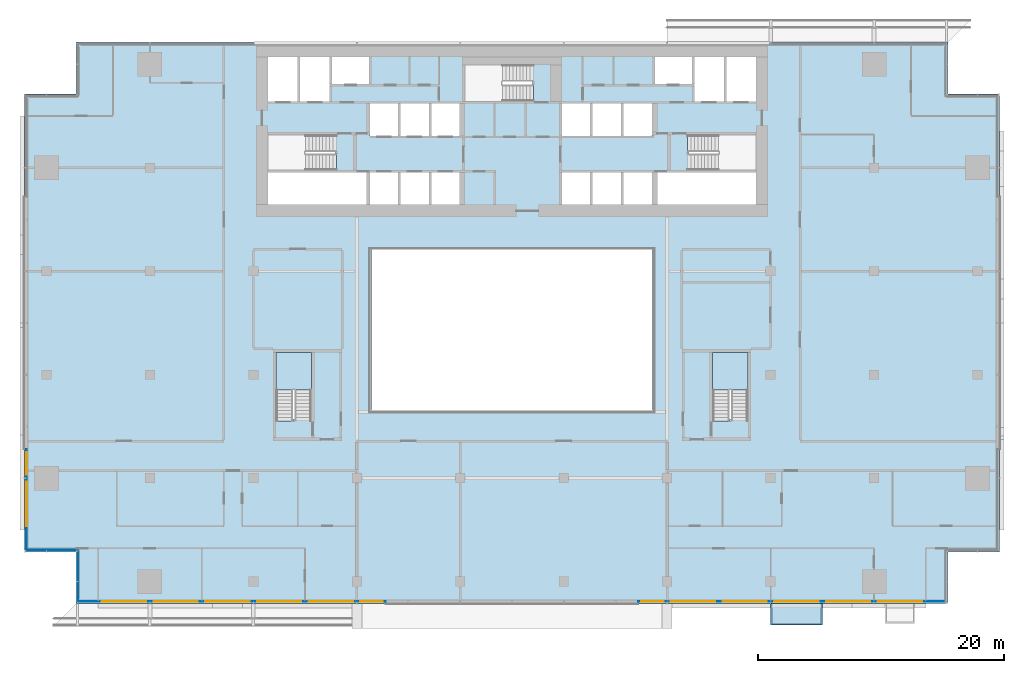
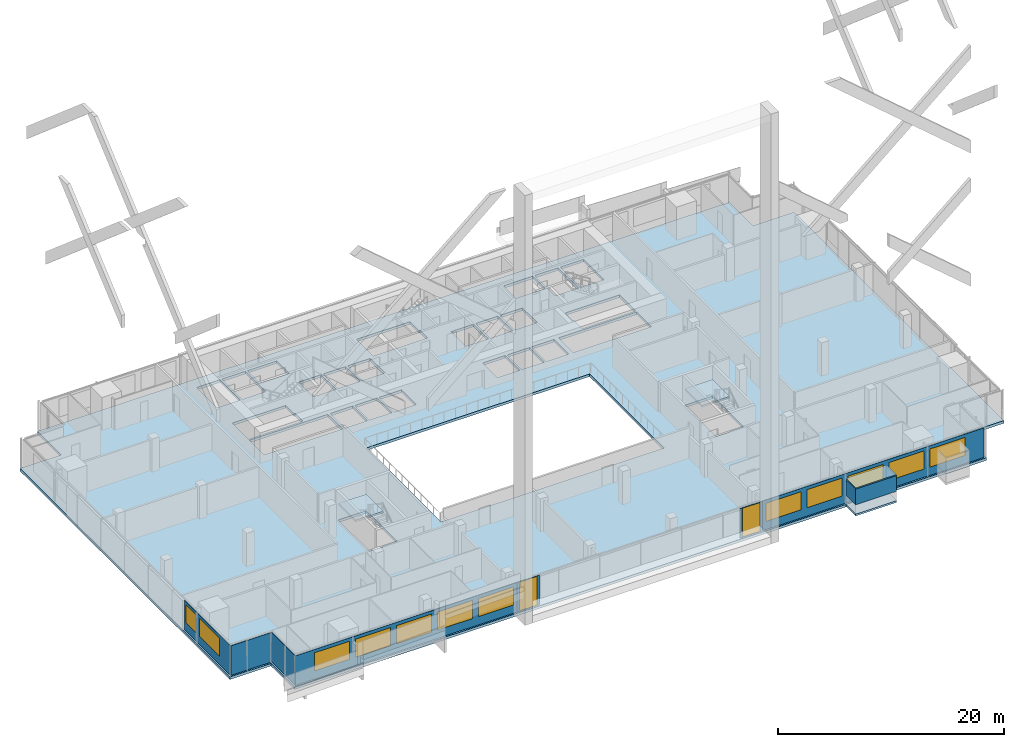
# One storey, part 17 of 30: 14 windows, 10 plates, 4 slabs, 14 openings, 6 elements without a shape of their own.
"""IFC4 building model written with IfcOpenShell, lengths in metres."""

from ifc_helpers import new_model, si_unit, direction, frame, frame_2d, origin, place, context, subcontext, project, spatial, polyline, rectangle, outline, extrude, material, layer, layer_set, type_object, element, fill, aggregate, save


model = new_model("IFC4")

# Units and contexts
model_context = context("Model", 3, precision=1e-05, world=origin(), true_north=direction((0.0, 1.0)))
body_context = subcontext(model_context, "Body", "Model", "MODEL_VIEW")
ifc_project = project(units=[si_unit("LENGTHUNIT", "METRE"), si_unit("AREAUNIT", "SQUARE_METRE"), si_unit("VOLUMEUNIT", "CUBIC_METRE"), si_unit("PLANEANGLEUNIT", "RADIAN"), si_unit("MASSUNIT", "GRAM", prefix="KILO")], contexts=[model_context])

# Site, building, storey
site_placement = place(None, origin())
site = spatial("IfcSite", under=ifc_project, at=site_placement, CompositionType="ELEMENT")
building_placement = place(site_placement, origin())
building = spatial("IfcBuilding", under=site, at=building_placement, Name="Saffron Gate Tower", CompositionType="ELEMENT")
storey_placement = place(building_placement, frame((0.0, 0.0, 95.25)))
storey = spatial("IfcBuildingStorey", under=building, at=storey_placement, Name="L21", CompositionType="ELEMENT", Elevation=95.25)

# Curtain wall, plates, openings, windows
ifc_material_1 = material(Name="Aluminium, bronze anodised", Category="aluminium")
curtain_wall_type_1 = type_object("IfcCurtainWallType", Name="CWS1 curtain wall front facade", PredefinedType="NOTDEFINED", material=ifc_material_1)
curtain_wall_1_placement = place(storey_placement, origin())
curtain_wall_1 = element("IfcCurtainWall", 1, at=curtain_wall_1_placement, inside=storey, type_object=curtain_wall_type_1, Name="CWS1 run 1", PredefinedType="NOTDEFINED")
ifc_material_2 = material(Name="Clear low-iron laminated glass", Category="glass")
ifc_layer_1 = layer(ifc_material_2, 0.028076171875)
ifc_layer_set_1 = layer_set([ifc_layer_1], Name="CWS1 clear glass")
plate_type_1 = type_object("IfcPlateType", Name="CWS1 clear glass", PredefinedType="CURTAIN_PANEL", material=ifc_layer_set_1)
plate_1_placement = place(storey_placement, frame((75.030029296875, 30.174072265625, 0.0), z_axis=(0.0, 0.0, 1.0), x_axis=(1.0, 0.0, 0.0)))
plate_1 = element("IfcPlate", 2, at=plate_1_placement, type_object=plate_type_1, Name="CWS1 clear glass panel", PredefinedType="CURTAIN_PANEL", context=body_context, shape_type="SweptSolid", body=[
    extrude(rectangle(XDim=2.32080078125, YDim=0.028076171875, at=frame_2d((1.160400390625, 0.0))), origin(), (0.0, 0.0, 1.0), 3.199951171875),
])
opening_1_placement = place(plate_1_placement, frame((0.260498046875, 0.0, 0.050048828125)))
opening_1 = element("IfcOpeningElement", 3, at=opening_1_placement, cuts=plate_1, Name="Opening WAN18", PredefinedType="OPENING", context=body_context, shape_type="SweptSolid", body=[
    extrude(rectangle(XDim=1.800048828125, YDim=3.10009765625, at=frame_2d((0.89990234375, 1.550048828125))), frame((0.0, 0.02392578125, 0.0), z_axis=(0.0, -1.0, 0.0), x_axis=(1.0, 0.0, 0.0)), (0.0, 0.0, 1.0), 0.048095703125),
])
ifc_material_3 = material(Name="Clear low-iron laminated glass in bronze frame", Category="glass")
ifc_layer_2 = layer(ifc_material_3, 0.06005859375)
ifc_layer_set_2 = layer_set([ifc_layer_2], Name="WAN18 operable atrium unit 1800x3100")
window_type_1 = type_object("IfcWindowType", Name="WAN18 operable atrium unit 1800x3100", PartitioningType="DOUBLE_PANEL_HORIZONTAL", PredefinedType="WINDOW", material=ifc_layer_set_2)
window_1_placement = place(opening_1_placement, origin())
window_1 = element("IfcWindow", 4, at=window_1_placement, type_object=window_type_1, Name="WAN18 operable atrium unit", OverallHeight=3.10009765625, OverallWidth=1.800048828125, PartitioningType="SINGLE_PANEL", PredefinedType="WINDOW", context=body_context, shape_type="SweptSolid", body=[
    extrude(rectangle(XDim=1.800048828125, YDim=3.10009765625, at=frame_2d((0.89990234375, 1.550048828125))), frame((0.0, 0.013671875, 0.0), z_axis=(0.0, -1.0, 0.0), x_axis=(1.0, 0.0, 0.0)), (0.0, 0.0, 1.0), 0.027587890625),
])
fill(opening_1, window_1)
plate_2_placement = place(storey_placement, frame((97.84912109375, 30.174072265625, 0.0), z_axis=(0.0, 0.0, 1.0), x_axis=(1.0, 0.0, 0.0)))
plate_2 = element("IfcPlate", 5, at=plate_2_placement, type_object=plate_type_1, Name="CWS1 clear glass panel", PredefinedType="CURTAIN_PANEL", context=body_context, shape_type="SweptSolid", body=[
    extrude(rectangle(XDim=2.32080078125, YDim=0.028076171875, at=frame_2d((1.160400390625, 0.0))), origin(), (0.0, 0.0, 1.0), 3.199951171875),
])
opening_2_placement = place(plate_2_placement, frame((0.260498046875, 0.0, 0.050048828125)))
opening_2 = element("IfcOpeningElement", 6, at=opening_2_placement, cuts=plate_2, Name="Opening WAN18", PredefinedType="OPENING", context=body_context, shape_type="SweptSolid", body=[
    extrude(rectangle(XDim=1.800048828125, YDim=3.10009765625, at=frame_2d((0.89990234375, 1.550048828125))), frame((0.0, 0.02392578125, 0.0), z_axis=(0.0, -1.0, 0.0), x_axis=(1.0, 0.0, 0.0)), (0.0, 0.0, 1.0), 0.048095703125),
])
window_2_placement = place(opening_2_placement, origin())
window_2 = element("IfcWindow", 7, at=window_2_placement, type_object=window_type_1, Name="WAN18 operable atrium unit", OverallHeight=3.10009765625, OverallWidth=1.800048828125, PartitioningType="SINGLE_PANEL", PredefinedType="WINDOW", context=body_context, shape_type="SweptSolid", body=[
    extrude(rectangle(XDim=1.800048828125, YDim=3.10009765625, at=frame_2d((0.89990234375, 1.550048828125))), frame((0.0, 0.013671875, 0.0), z_axis=(0.0, -1.0, 0.0), x_axis=(1.0, 0.0, 0.0)), (0.0, 0.0, 1.0), 0.027587890625),
])
fill(opening_2, window_2)
ifc_material_4 = material(Name="Fritted bronze-tinted laminated glass", Category="glass")
ifc_layer_3 = layer(ifc_material_4, 0.028076171875)
ifc_layer_set_3 = layer_set([ifc_layer_3], Name="CWS1 fixed glass")
plate_type_2 = type_object("IfcPlateType", Name="CWS1 fixed glass", PredefinedType="CURTAIN_PANEL", material=ifc_layer_set_3)
plate_3_placement = place(storey_placement, frame((52.387939453125, 30.174072265625, 0.0), z_axis=(0.0, 0.0, 1.0), x_axis=(1.0, 0.0, 0.0)))
plate_3 = element("IfcPlate", 8, at=plate_3_placement, type_object=plate_type_2, Name="CWS1 glass panel", PredefinedType="CURTAIN_PANEL", context=body_context, shape_type="SweptSolid", body=[
    extrude(rectangle(XDim=22.64208984375, YDim=0.028076171875, at=frame_2d((11.321044921875, 0.0))), origin(), (0.0, 0.0, 1.0), 3.199951171875),
])
opening_3_placement = place(plate_3_placement, frame((1.912109375, 0.0, 0.89990234375)))
opening_3 = element("IfcOpeningElement", 9, at=opening_3_placement, cuts=plate_3, Name="Opening W1", PredefinedType="OPENING", context=body_context, shape_type="SweptSolid", body=[
    extrude(rectangle(XDim=3.60009765625, YDim=1.949951171875, at=frame_2d((1.800048828125, 0.97509765625))), frame((0.0, 0.02392578125, 0.0), z_axis=(0.0, -1.0, 0.0), x_axis=(1.0, 0.0, 0.0)), (0.0, 0.0, 1.0), 0.048095703125),
])
opening_4_placement = place(plate_3_placement, frame((6.112060546875, 0.0, 0.89990234375)))
opening_4 = element("IfcOpeningElement", 10, at=opening_4_placement, cuts=plate_3, Name="Opening W1", PredefinedType="OPENING", context=body_context, shape_type="SweptSolid", body=[
    extrude(rectangle(XDim=3.60009765625, YDim=1.949951171875, at=frame_2d((1.800048828125, 0.97509765625))), frame((0.0, 0.02392578125, 0.0), z_axis=(0.0, -1.0, 0.0), x_axis=(1.0, 0.0, 0.0)), (0.0, 0.0, 1.0), 0.048095703125),
])
opening_5_placement = place(plate_3_placement, frame((10.31201171875, 0.0, 0.89990234375)))
opening_5 = element("IfcOpeningElement", 11, at=opening_5_placement, cuts=plate_3, Name="Opening W1", PredefinedType="OPENING", context=body_context, shape_type="SweptSolid", body=[
    extrude(rectangle(XDim=3.60009765625, YDim=1.949951171875, at=frame_2d((1.800048828125, 0.97509765625))), frame((0.0, 0.02392578125, 0.0), z_axis=(0.0, -1.0, 0.0), x_axis=(1.0, 0.0, 0.0)), (0.0, 0.0, 1.0), 0.048095703125),
])
opening_6_placement = place(plate_3_placement, frame((14.511962890625, 0.0, 0.89990234375)))
opening_6 = element("IfcOpeningElement", 12, at=opening_6_placement, cuts=plate_3, Name="Opening W1", PredefinedType="OPENING", context=body_context, shape_type="SweptSolid", body=[
    extrude(rectangle(XDim=3.60009765625, YDim=1.949951171875, at=frame_2d((1.800048828125, 0.97509765625))), frame((0.0, 0.02392578125, 0.0), z_axis=(0.0, -1.0, 0.0), x_axis=(1.0, 0.0, 0.0)), (0.0, 0.0, 1.0), 0.048095703125),
])
opening_7_placement = place(plate_3_placement, frame((18.7119140625, 0.0, 0.89990234375)))
opening_7 = element("IfcOpeningElement", 13, at=opening_7_placement, cuts=plate_3, Name="Opening W1", PredefinedType="OPENING", context=body_context, shape_type="SweptSolid", body=[
    extrude(rectangle(XDim=3.60009765625, YDim=1.949951171875, at=frame_2d((1.800048828125, 0.97509765625))), frame((0.0, 0.02392578125, 0.0), z_axis=(0.0, -1.0, 0.0), x_axis=(1.0, 0.0, 0.0)), (0.0, 0.0, 1.0), 0.048095703125),
])
ifc_material_5 = material(Name="Fritted bronze-tinted laminated glass in bronze frame", Category="glass")
ifc_layer_4 = layer(ifc_material_5, 0.06005859375)
ifc_layer_set_4 = layer_set([ifc_layer_4], Name="W1 operable panel 3600x1950")
window_type_2 = type_object("IfcWindowType", Name="W1 operable panel 3600x1950", PartitioningType="DOUBLE_PANEL_HORIZONTAL", PredefinedType="WINDOW", material=ifc_layer_set_4)
window_3_placement = place(opening_3_placement, origin())
window_3 = element("IfcWindow", 14, at=window_3_placement, type_object=window_type_2, Name="W1 operable panel", OverallHeight=1.949951171875, OverallWidth=3.60009765625, PartitioningType="SINGLE_PANEL", PredefinedType="WINDOW", context=body_context, shape_type="SweptSolid", body=[
    extrude(rectangle(XDim=3.60009765625, YDim=1.949951171875, at=frame_2d((1.800048828125, 0.97509765625))), frame((0.0, 0.013671875, 0.0), z_axis=(0.0, -1.0, 0.0), x_axis=(1.0, 0.0, 0.0)), (0.0, 0.0, 1.0), 0.027587890625),
])
fill(opening_3, window_3)
window_4_placement = place(opening_4_placement, origin())
window_4 = element("IfcWindow", 15, at=window_4_placement, type_object=window_type_2, Name="W1 operable panel", OverallHeight=1.949951171875, OverallWidth=3.60009765625, PartitioningType="SINGLE_PANEL", PredefinedType="WINDOW", context=body_context, shape_type="SweptSolid", body=[
    extrude(rectangle(XDim=3.60009765625, YDim=1.949951171875, at=frame_2d((1.800048828125, 0.97509765625))), frame((0.0, 0.013671875, 0.0), z_axis=(0.0, -1.0, 0.0), x_axis=(1.0, 0.0, 0.0)), (0.0, 0.0, 1.0), 0.027587890625),
])
fill(opening_4, window_4)
window_5_placement = place(opening_5_placement, origin())
window_5 = element("IfcWindow", 16, at=window_5_placement, type_object=window_type_2, Name="W1 operable panel", OverallHeight=1.949951171875, OverallWidth=3.60009765625, PartitioningType="SINGLE_PANEL", PredefinedType="WINDOW", context=body_context, shape_type="SweptSolid", body=[
    extrude(rectangle(XDim=3.60009765625, YDim=1.949951171875, at=frame_2d((1.800048828125, 0.97509765625))), frame((0.0, 0.013671875, 0.0), z_axis=(0.0, -1.0, 0.0), x_axis=(1.0, 0.0, 0.0)), (0.0, 0.0, 1.0), 0.027587890625),
])
fill(opening_5, window_5)
window_6_placement = place(opening_6_placement, origin())
window_6 = element("IfcWindow", 17, at=window_6_placement, type_object=window_type_2, Name="W1 operable panel", OverallHeight=1.949951171875, OverallWidth=3.60009765625, PartitioningType="SINGLE_PANEL", PredefinedType="WINDOW", context=body_context, shape_type="SweptSolid", body=[
    extrude(rectangle(XDim=3.60009765625, YDim=1.949951171875, at=frame_2d((1.800048828125, 0.97509765625))), frame((0.0, 0.013671875, 0.0), z_axis=(0.0, -1.0, 0.0), x_axis=(1.0, 0.0, 0.0)), (0.0, 0.0, 1.0), 0.027587890625),
])
fill(opening_6, window_6)
window_7_placement = place(opening_7_placement, origin())
window_7 = element("IfcWindow", 18, at=window_7_placement, type_object=window_type_2, Name="W1 operable panel", OverallHeight=1.949951171875, OverallWidth=3.60009765625, PartitioningType="SINGLE_PANEL", PredefinedType="WINDOW", context=body_context, shape_type="SweptSolid", body=[
    extrude(rectangle(XDim=3.60009765625, YDim=1.949951171875, at=frame_2d((1.800048828125, 0.97509765625))), frame((0.0, 0.013671875, 0.0), z_axis=(0.0, -1.0, 0.0), x_axis=(1.0, 0.0, 0.0)), (0.0, 0.0, 1.0), 0.027587890625),
])
fill(opening_7, window_7)
plate_4_placement = place(storey_placement, frame((100.169921875, 30.174072265625, 0.0), z_axis=(0.0, 0.0, 1.0), x_axis=(1.0, 0.0, 0.0)))
plate_4 = element("IfcPlate", 19, at=plate_4_placement, type_object=plate_type_2, Name="CWS1 glass panel", PredefinedType="CURTAIN_PANEL", context=body_context, shape_type="SweptSolid", body=[
    extrude(rectangle(XDim=22.64208984375, YDim=0.028076171875, at=frame_2d((11.321044921875, 0.0))), origin(), (0.0, 0.0, 1.0), 3.199951171875),
])
opening_8_placement = place(plate_4_placement, frame((0.330078125, 0.0, 0.89990234375)))
opening_8 = element("IfcOpeningElement", 20, at=opening_8_placement, cuts=plate_4, Name="Opening W1", PredefinedType="OPENING", context=body_context, shape_type="SweptSolid", body=[
    extrude(rectangle(XDim=3.60009765625, YDim=1.949951171875, at=frame_2d((1.800048828125, 0.97509765625))), frame((0.0, 0.02392578125, 0.0), z_axis=(0.0, -1.0, 0.0), x_axis=(1.0, 0.0, 0.0)), (0.0, 0.0, 1.0), 0.048095703125),
])
opening_9_placement = place(plate_4_placement, frame((4.530029296875, 0.0, 0.89990234375)))
opening_9 = element("IfcOpeningElement", 21, at=opening_9_placement, cuts=plate_4, Name="Opening W1", PredefinedType="OPENING", context=body_context, shape_type="SweptSolid", body=[
    extrude(rectangle(XDim=3.60009765625, YDim=1.949951171875, at=frame_2d((1.800048828125, 0.97509765625))), frame((0.0, 0.02392578125, 0.0), z_axis=(0.0, -1.0, 0.0), x_axis=(1.0, 0.0, 0.0)), (0.0, 0.0, 1.0), 0.048095703125),
])
opening_10_placement = place(plate_4_placement, frame((8.72998046875, 0.0, 0.89990234375)))
opening_10 = element("IfcOpeningElement", 22, at=opening_10_placement, cuts=plate_4, Name="Opening W1", PredefinedType="OPENING", context=body_context, shape_type="SweptSolid", body=[
    extrude(rectangle(XDim=3.60009765625, YDim=1.949951171875, at=frame_2d((1.800048828125, 0.97509765625))), frame((0.0, 0.02392578125, 0.0), z_axis=(0.0, -1.0, 0.0), x_axis=(1.0, 0.0, 0.0)), (0.0, 0.0, 1.0), 0.048095703125),
])
opening_11_placement = place(plate_4_placement, frame((12.929931640625, 0.0, 0.89990234375)))
opening_11 = element("IfcOpeningElement", 23, at=opening_11_placement, cuts=plate_4, Name="Opening W1", PredefinedType="OPENING", context=body_context, shape_type="SweptSolid", body=[
    extrude(rectangle(XDim=3.60009765625, YDim=1.949951171875, at=frame_2d((1.800048828125, 0.97509765625))), frame((0.0, 0.02392578125, 0.0), z_axis=(0.0, -1.0, 0.0), x_axis=(1.0, 0.0, 0.0)), (0.0, 0.0, 1.0), 0.048095703125),
])
opening_12_placement = place(plate_4_placement, frame((17.1298828125, 0.0, 0.89990234375)))
opening_12 = element("IfcOpeningElement", 24, at=opening_12_placement, cuts=plate_4, Name="Opening W1", PredefinedType="OPENING", context=body_context, shape_type="SweptSolid", body=[
    extrude(rectangle(XDim=3.60009765625, YDim=1.949951171875, at=frame_2d((1.800048828125, 0.97509765625))), frame((0.0, 0.02392578125, 0.0), z_axis=(0.0, -1.0, 0.0), x_axis=(1.0, 0.0, 0.0)), (0.0, 0.0, 1.0), 0.048095703125),
])
window_8_placement = place(opening_8_placement, origin())
window_8 = element("IfcWindow", 25, at=window_8_placement, type_object=window_type_2, Name="W1 operable panel", OverallHeight=1.949951171875, OverallWidth=3.60009765625, PartitioningType="SINGLE_PANEL", PredefinedType="WINDOW", context=body_context, shape_type="SweptSolid", body=[
    extrude(rectangle(XDim=3.60009765625, YDim=1.949951171875, at=frame_2d((1.800048828125, 0.97509765625))), frame((0.0, 0.013671875, 0.0), z_axis=(0.0, -1.0, 0.0), x_axis=(1.0, 0.0, 0.0)), (0.0, 0.0, 1.0), 0.027587890625),
])
fill(opening_8, window_8)
window_9_placement = place(opening_9_placement, origin())
window_9 = element("IfcWindow", 26, at=window_9_placement, type_object=window_type_2, Name="W1 operable panel", OverallHeight=1.949951171875, OverallWidth=3.60009765625, PartitioningType="SINGLE_PANEL", PredefinedType="WINDOW", context=body_context, shape_type="SweptSolid", body=[
    extrude(rectangle(XDim=3.60009765625, YDim=1.949951171875, at=frame_2d((1.800048828125, 0.97509765625))), frame((0.0, 0.013671875, 0.0), z_axis=(0.0, -1.0, 0.0), x_axis=(1.0, 0.0, 0.0)), (0.0, 0.0, 1.0), 0.027587890625),
])
fill(opening_9, window_9)
window_10_placement = place(opening_10_placement, origin())
window_10 = element("IfcWindow", 27, at=window_10_placement, type_object=window_type_2, Name="W1 operable panel", OverallHeight=1.949951171875, OverallWidth=3.60009765625, PartitioningType="SINGLE_PANEL", PredefinedType="WINDOW", context=body_context, shape_type="SweptSolid", body=[
    extrude(rectangle(XDim=3.60009765625, YDim=1.949951171875, at=frame_2d((1.800048828125, 0.97509765625))), frame((0.0, 0.013671875, 0.0), z_axis=(0.0, -1.0, 0.0), x_axis=(1.0, 0.0, 0.0)), (0.0, 0.0, 1.0), 0.027587890625),
])
fill(opening_10, window_10)
window_11_placement = place(opening_11_placement, origin())
window_11 = element("IfcWindow", 28, at=window_11_placement, type_object=window_type_2, Name="W1 operable panel", OverallHeight=1.949951171875, OverallWidth=3.60009765625, PartitioningType="SINGLE_PANEL", PredefinedType="WINDOW", context=body_context, shape_type="SweptSolid", body=[
    extrude(rectangle(XDim=3.60009765625, YDim=1.949951171875, at=frame_2d((1.800048828125, 0.97509765625))), frame((0.0, 0.013671875, 0.0), z_axis=(0.0, -1.0, 0.0), x_axis=(1.0, 0.0, 0.0)), (0.0, 0.0, 1.0), 0.027587890625),
])
fill(opening_11, window_11)
window_12_placement = place(opening_12_placement, origin())
window_12 = element("IfcWindow", 29, at=window_12_placement, type_object=window_type_2, Name="W1 operable panel", OverallHeight=1.949951171875, OverallWidth=3.60009765625, PartitioningType="SINGLE_PANEL", PredefinedType="WINDOW", context=body_context, shape_type="SweptSolid", body=[
    extrude(rectangle(XDim=3.60009765625, YDim=1.949951171875, at=frame_2d((1.800048828125, 0.97509765625))), frame((0.0, 0.013671875, 0.0), z_axis=(0.0, -1.0, 0.0), x_axis=(1.0, 0.0, 0.0)), (0.0, 0.0, 1.0), 0.027587890625),
])
fill(opening_12, window_12)
aggregate(curtain_wall_1, [plate_3, plate_4, plate_1, plate_2, window_3, window_4, window_5, window_6, window_7, window_8, window_9, window_10, window_11, window_12, window_1, window_2])

curtain_wall_type_2 = type_object("IfcCurtainWallType", Name="CWS2 curtain wall side facades", PredefinedType="NOTDEFINED", material=ifc_material_1)
curtain_wall_2_placement = place(storey_placement, origin())
curtain_wall_2 = element("IfcCurtainWall", 30, at=curtain_wall_2_placement, inside=storey, type_object=curtain_wall_type_2, Name="CWS2 run 10", PredefinedType="NOTDEFINED")
ifc_layer_5 = layer(ifc_material_4, 0.028076171875)
ifc_layer_set_5 = layer_set([ifc_layer_5], Name="CWS2 fixed glass")
plate_type_3 = type_object("IfcPlateType", Name="CWS2 fixed glass", PredefinedType="CURTAIN_PANEL", material=ifc_layer_set_5)
plate_5_placement = place(storey_placement, frame((48.174072265625, 40.22998046875, 0.0), z_axis=(0.0, 0.0, 1.0), x_axis=(0.0, -1.0, 0.0)))
plate_5 = element("IfcPlate", 31, at=plate_5_placement, type_object=plate_type_3, Name="CWS2 glass panel", PredefinedType="CURTAIN_PANEL", context=body_context, shape_type="SweptSolid", body=[
    extrude(rectangle(XDim=5.842041015625, YDim=0.028076171875, at=frame_2d((2.9208984375, 0.0))), origin(), (0.0, 0.0, 1.0), 3.199951171875),
])
opening_13_placement = place(plate_5_placement, frame((0.330078125, 0.0, 0.89990234375)))
opening_13 = element("IfcOpeningElement", 32, at=opening_13_placement, cuts=plate_5, Name="Opening W1", PredefinedType="OPENING", context=body_context, shape_type="SweptSolid", body=[
    extrude(rectangle(XDim=3.60009765625, YDim=1.949951171875, at=frame_2d((1.800048828125, 0.97509765625))), frame((0.0, 0.02392578125, 0.0), z_axis=(0.0, -1.0, 0.0), x_axis=(1.0, 0.0, 0.0)), (0.0, 0.0, 1.0), 0.048095703125),
])
window_13_placement = place(opening_13_placement, origin())
window_13 = element("IfcWindow", 33, at=window_13_placement, type_object=window_type_2, Name="W1 operable panel", OverallHeight=1.949951171875, OverallWidth=3.60009765625, PartitioningType="SINGLE_PANEL", PredefinedType="WINDOW", context=body_context, shape_type="SweptSolid", body=[
    extrude(rectangle(XDim=3.60009765625, YDim=1.949951171875, at=frame_2d((1.800048828125, 0.97509765625))), frame((0.0, 0.013671875, 0.0), z_axis=(0.0, -1.0, 0.0), x_axis=(1.0, 0.0, 0.0)), (0.0, 0.0, 1.0), 0.027587890625),
])
fill(opening_13, window_13)
plate_6_placement = place(storey_placement, frame((48.174072265625, 42.55078125, 0.0), z_axis=(0.0, 0.0, 1.0), x_axis=(0.0, -1.0, 0.0)))
plate_6 = element("IfcPlate", 34, at=plate_6_placement, type_object=plate_type_3, Name="CWS2 glass panel", PredefinedType="CURTAIN_PANEL", context=body_context, shape_type="SweptSolid", body=[
    extrude(rectangle(XDim=2.32080078125, YDim=0.028076171875, at=frame_2d((1.160400390625, 0.0))), origin(), (0.0, 0.0, 1.0), 3.199951171875),
])
opening_14_placement = place(plate_6_placement, frame((0.260498046875, 0.0, 0.89990234375)))
opening_14 = element("IfcOpeningElement", 35, at=opening_14_placement, cuts=plate_6, Name="Opening W1N18", PredefinedType="OPENING", context=body_context, shape_type="SweptSolid", body=[
    extrude(rectangle(XDim=1.800048828125, YDim=1.949951171875, at=frame_2d((0.89990234375, 0.97509765625))), frame((0.0, 0.02392578125, 0.0), z_axis=(0.0, -1.0, 0.0), x_axis=(1.0, 0.0, 0.0)), (0.0, 0.0, 1.0), 0.048095703125),
])
ifc_layer_6 = layer(ifc_material_5, 0.06005859375)
ifc_layer_set_6 = layer_set([ifc_layer_6], Name="W1N18 operable panel 1800x1950")
window_type_3 = type_object("IfcWindowType", Name="W1N18 operable panel 1800x1950", PartitioningType="DOUBLE_PANEL_HORIZONTAL", PredefinedType="WINDOW", material=ifc_layer_set_6)
window_14_placement = place(opening_14_placement, origin())
window_14 = element("IfcWindow", 36, at=window_14_placement, type_object=window_type_3, Name="W1N18 operable panel", OverallHeight=1.949951171875, OverallWidth=1.800048828125, PartitioningType="SINGLE_PANEL", PredefinedType="WINDOW", context=body_context, shape_type="SweptSolid", body=[
    extrude(rectangle(XDim=1.800048828125, YDim=1.949951171875, at=frame_2d((0.89990234375, 0.97509765625))), frame((0.0, 0.013671875, 0.0), z_axis=(0.0, -1.0, 0.0), x_axis=(1.0, 0.0, 0.0)), (0.0, 0.0, 1.0), 0.027587890625),
])
fill(opening_14, window_14)
aggregate(curtain_wall_2, [plate_5, plate_6, window_13, window_14])

# Curtain wall, plate
curtain_wall_type_3 = type_object("IfcCurtainWallType", Name="CWS4 curtain wall corner returns", PredefinedType="NOTDEFINED", material=ifc_material_1)
curtain_wall_3_placement = place(storey_placement, origin())
curtain_wall_3 = element("IfcCurtainWall", 37, at=curtain_wall_3_placement, inside=storey, type_object=curtain_wall_type_3, Name="CWS4 run 11", PredefinedType="NOTDEFINED")
ifc_layer_7 = layer(ifc_material_4, 0.028076171875)
ifc_layer_set_7 = layer_set([ifc_layer_7], Name="CWS4 fixed glass")
plate_type_4 = type_object("IfcPlateType", Name="CWS4 fixed glass", PredefinedType="CURTAIN_PANEL", material=ifc_layer_set_7)
plate_7_placement = place(storey_placement, frame((48.18798828125, 34.3740234375, 0.0), z_axis=(0.0, 0.0, 1.0), x_axis=(1.0, 0.0, 0.0)))
plate_7 = element("IfcPlate", 38, at=plate_7_placement, type_object=plate_type_4, Name="CWS4 glass panel", PredefinedType="CURTAIN_PANEL", context=body_context, shape_type="SweptSolid", body=[
    extrude(rectangle(XDim=4.172119140625, YDim=0.028076171875, at=frame_2d((2.0859375, 0.0))), origin(), (0.0, 0.0, 1.0), 3.199951171875),
])
aggregate(curtain_wall_3, [plate_7])

curtain_wall_4_placement = place(storey_placement, origin())
curtain_wall_4 = element("IfcCurtainWall", 39, at=curtain_wall_4_placement, inside=storey, type_object=curtain_wall_type_3, Name="CWS4 run 12", PredefinedType="NOTDEFINED")
plate_8_placement = place(storey_placement, frame((52.3740234375, 34.360107421875, 0.0), z_axis=(0.0, 0.0, 1.0), x_axis=(0.0, -1.0, 0.0)))
plate_8 = element("IfcPlate", 40, at=plate_8_placement, type_object=plate_type_4, Name="CWS4 glass panel", PredefinedType="CURTAIN_PANEL", context=body_context, shape_type="SweptSolid", body=[
    extrude(rectangle(XDim=4.172119140625, YDim=0.028076171875, at=frame_2d((2.0859375, 0.0))), origin(), (0.0, 0.0, 1.0), 3.199951171875),
])
aggregate(curtain_wall_4, [plate_8])

# Slab
ifc_material_6 = material(Name="Concrete C40", Category="concrete")
ifc_layer_8 = layer(ifc_material_6, 0.280029296875)
ifc_layer_set_8 = layer_set([ifc_layer_8], Name="S2 FLOOR SLAB 280 CONCRETE C40")
slab_type_1 = type_object("IfcSlabType", Name="S2 FLOOR SLAB 280 CONCRETE C40", PredefinedType="FLOOR", material=ifc_layer_set_8)
slab_1_placement = place(storey_placement, frame((0.0, 0.0, -0.280029296875)))
element("IfcSlab", 41, at=slab_1_placement, inside=storey, type_object=slab_type_1, Name="S2 FLOOR SLAB", PredefinedType="FLOOR", context=body_context, shape_type="SweptSolid", body=[
    extrude(outline(polyline([(48.0, 34.199951171875), (52.199951171875, 34.199951171875), (52.199951171875, 30.0), (123.0, 30.0), (123.0, 34.199951171875), (127.199951171875, 34.199951171875), (127.199951171875, 71.39990234375), (123.0, 71.39990234375), (123.0, 75.60009765625), (52.199951171875, 75.60009765625), (52.199951171875, 71.39990234375), (48.0, 71.39990234375), (48.0, 34.199951171875)]), holes=[polyline([(67.800048828125, 62.39990234375), (67.800048828125, 65.0), (75.800048828125, 65.0), (75.800048828125, 62.39990234375), (67.800048828125, 62.39990234375)]), polyline([(67.800048828125, 65.199951171875), (67.800048828125, 68.050048828125), (73.25, 68.050048828125), (73.25, 66.550048828125), (73.34912109375, 66.550048828125), (73.34912109375, 65.199951171875), (67.800048828125, 65.199951171875)]), polyline([(67.800048828125, 70.800048828125), (67.800048828125, 74.39990234375), (70.199951171875, 74.39990234375), (70.199951171875, 70.800048828125), (67.800048828125, 70.800048828125)]), polyline([(68.449951171875, 44.85107421875), (68.449951171875, 50.39990234375), (71.300048828125, 50.39990234375), (71.300048828125, 44.949951171875), (69.800048828125, 44.949951171875), (69.800048828125, 44.85107421875), (68.449951171875, 44.85107421875)]), polyline([(70.39990234375, 70.800048828125), (70.39990234375, 74.39990234375), (72.800048828125, 74.39990234375), (72.800048828125, 70.800048828125), (70.39990234375, 70.800048828125)]), polyline([(73.0, 72.199951171875), (73.0, 74.39990234375), (76.0, 74.39990234375), (76.0, 72.199951171875), (73.0, 72.199951171875)]), polyline([(76.050048828125, 62.39990234375), (76.050048828125, 65.0), (78.35009765625, 65.0), (78.35009765625, 62.39990234375), (76.050048828125, 62.39990234375)]), polyline([(76.050048828125, 68.0), (76.050048828125, 70.60009765625), (78.35009765625, 70.60009765625), (78.35009765625, 68.0), (76.050048828125, 68.0)]), polyline([(76.199951171875, 45.60009765625), (76.199951171875, 58.800048828125), (99.0, 58.800048828125), (99.0, 45.60009765625), (76.199951171875, 45.60009765625)]), polyline([(78.550048828125, 62.39990234375), (78.550048828125, 65.0), (80.85009765625, 65.0), (80.85009765625, 62.39990234375), (78.550048828125, 62.39990234375)]), polyline([(78.550048828125, 68.0), (78.550048828125, 70.60009765625), (80.85009765625, 70.60009765625), (80.85009765625, 68.0), (78.550048828125, 68.0)]), polyline([(81.050048828125, 62.39990234375), (81.050048828125, 65.0), (83.35009765625, 65.0), (83.35009765625, 62.39990234375), (81.050048828125, 62.39990234375)]), polyline([(81.050048828125, 68.0), (81.050048828125, 70.60009765625), (83.35009765625, 70.60009765625), (83.35009765625, 68.0), (81.050048828125, 68.0)]), polyline([(83.800048828125, 70.800048828125), (83.800048828125, 73.75), (89.25, 73.75), (89.25, 72.14990234375), (89.34912109375, 72.14990234375), (89.34912109375, 70.800048828125), (83.800048828125, 70.800048828125)]), polyline([(91.64990234375, 62.39990234375), (91.64990234375, 65.0), (93.949951171875, 65.0), (93.949951171875, 62.39990234375), (91.64990234375, 62.39990234375)]), polyline([(91.64990234375, 68.0), (91.64990234375, 70.60009765625), (93.949951171875, 70.60009765625), (93.949951171875, 68.0), (91.64990234375, 68.0)]), polyline([(94.14990234375, 62.39990234375), (94.14990234375, 65.0), (96.449951171875, 65.0), (96.449951171875, 62.39990234375), (94.14990234375, 62.39990234375)]), polyline([(94.14990234375, 68.0), (94.14990234375, 70.60009765625), (96.449951171875, 70.60009765625), (96.449951171875, 68.0), (94.14990234375, 68.0)]), polyline([(96.64990234375, 62.39990234375), (96.64990234375, 65.0), (98.949951171875, 65.0), (98.949951171875, 62.39990234375), (96.64990234375, 62.39990234375)]), polyline([(96.64990234375, 68.0), (96.64990234375, 70.60009765625), (98.949951171875, 70.60009765625), (98.949951171875, 68.0), (96.64990234375, 68.0)]), polyline([(99.199951171875, 72.199951171875), (99.199951171875, 74.39990234375), (102.199951171875, 74.39990234375), (102.199951171875, 72.199951171875), (99.199951171875, 72.199951171875)]), polyline([(99.39990234375, 62.39990234375), (99.39990234375, 65.0), (107.39990234375, 65.0), (107.39990234375, 62.39990234375), (99.39990234375, 62.39990234375)]), polyline([(101.85107421875, 66.699951171875), (101.85107421875, 68.050048828125), (107.39990234375, 68.050048828125), (107.39990234375, 65.199951171875), (101.949951171875, 65.199951171875), (101.949951171875, 66.699951171875), (101.85107421875, 66.699951171875)]), polyline([(102.39990234375, 70.800048828125), (102.39990234375, 74.39990234375), (104.800048828125, 74.39990234375), (104.800048828125, 70.800048828125), (102.39990234375, 70.800048828125)]), polyline([(103.89990234375, 44.85107421875), (103.89990234375, 50.39990234375), (106.75, 50.39990234375), (106.75, 44.949951171875), (105.25, 44.949951171875), (105.25, 44.85107421875), (103.89990234375, 44.85107421875)]), polyline([(105.0, 70.800048828125), (105.0, 74.39990234375), (107.39990234375, 74.39990234375), (107.39990234375, 70.800048828125), (105.0, 70.800048828125)])]), origin(), (0.0, 0.0, 1.0), 0.280029296875),
])

# Stair, slab
stair_type = type_object("IfcStairType", Name="ST7 Stair 1350 wide, 20 risers of 180", PredefinedType="HALF_TURN_STAIR", material=ifc_material_6)
stair_1_placement = place(storey_placement, origin())
stair_1 = element("IfcStair", 42, at=stair_1_placement, inside=storey, type_object=stair_type, Name="L21 Exit stair D", PredefinedType="HALF_TURN_STAIR")
ifc_layer_9 = layer(ifc_material_6, 0.199951171875)
ifc_layer_set_9 = layer_set([ifc_layer_9], Name="SL1 Stair landing 200")
slab_type_2 = type_object("IfcSlabType", Name="SL1 Stair landing 200", PredefinedType="LANDING", material=ifc_layer_set_9)
slab_2_placement = place(storey_placement, frame((0.0, 0.0, 1.60009765625)))
slab_2 = element("IfcSlab", 43, at=slab_2_placement, type_object=slab_type_2, Name="ST-D landing 1", PredefinedType="LANDING", context=body_context, shape_type="SweptSolid", body=[
    extrude(outline(polyline([(71.300048828125, 47.3701171875), (71.300048828125, 50.39990234375), (68.449951171875, 50.39990234375), (68.449951171875, 47.3701171875), (71.300048828125, 47.3701171875)])), origin(), (0.0, 0.0, 1.0), 0.199951171875),
])
aggregate(stair_1, [slab_2])

stair_2_placement = place(storey_placement, origin())
stair_2 = element("IfcStair", 44, at=stair_2_placement, inside=storey, type_object=stair_type, Name="L21 Exit stair E", PredefinedType="HALF_TURN_STAIR")
slab_3_placement = place(storey_placement, frame((0.0, 0.0, 1.60009765625)))
slab_3 = element("IfcSlab", 45, at=slab_3_placement, type_object=slab_type_2, Name="ST-E landing 1", PredefinedType="LANDING", context=body_context, shape_type="SweptSolid", body=[
    extrude(outline(polyline([(106.75, 47.3701171875), (106.75, 50.39990234375), (103.89990234375, 50.39990234375), (103.89990234375, 47.3701171875), (106.75, 47.3701171875)])), origin(), (0.0, 0.0, 1.0), 0.199951171875),
])
aggregate(stair_2, [slab_3])

# Slab
ifc_material_7 = material(Name="Timber deck on bronze frame", Category="wood")
ifc_layer_10 = layer(ifc_material_7, 0.199951171875)
ifc_layer_set_10 = layer_set([ifc_layer_10], Name="WB1 box floor")
slab_type_3 = type_object("IfcSlabType", Name="WB1 box floor", PredefinedType="FLOOR", material=ifc_layer_set_10)
slab_4_placement = place(storey_placement, frame((0.0, 0.0, -0.199951171875)))
element("IfcSlab", 46, at=slab_4_placement, inside=storey, type_object=slab_type_3, Name="WINDOW BOX floor", PredefinedType="FLOOR", context=body_context, shape_type="SweptSolid", body=[
    extrude(outline(polyline([(108.60009765625, 30.0), (112.800048828125, 30.0), (112.800048828125, 28.26708984375), (108.60009765625, 28.26708984375), (108.60009765625, 30.0)])), origin(), (0.0, 0.0, 1.0), 0.199951171875),
])

# Plates
ifc_layer_11 = layer(ifc_material_1, 0.1201171875)
ifc_layer_set_11 = layer_set([ifc_layer_11], Name="WB2 box roof")
plate_type_5 = type_object("IfcPlateType", Name="WB2 box roof", PredefinedType="SHEET", material=ifc_layer_set_11)
plate_9_placement = place(storey_placement, frame((0.0, 0.0, 2.699951171875)))
element("IfcPlate", 47, at=plate_9_placement, inside=storey, type_object=plate_type_5, Name="WINDOW BOX roof", PredefinedType="SHEET", context=body_context, shape_type="SweptSolid", body=[
    extrude(outline(polyline([(108.60009765625, 30.0), (112.800048828125, 30.0), (112.800048828125, 28.26708984375), (108.60009765625, 28.26708984375), (108.60009765625, 30.0)])), origin(), (0.0, 0.0, 1.0), 0.1201171875),
])
ifc_layer_12 = layer(ifc_material_2, 0.10009765625)
ifc_layer_set_12 = layer_set([ifc_layer_12], Name="WB6 box glazing")
plate_type_6 = type_object("IfcPlateType", Name="WB6 box glazing", PredefinedType="SHEET", material=ifc_layer_set_12)
plate_10_placement = place(storey_placement, frame((0.0, 0.0, 1.0)))
element("IfcPlate", 48, at=plate_10_placement, inside=storey, type_object=plate_type_6, Name="WINDOW BOX glazing", PredefinedType="SHEET", context=body_context, shape_type="SweptSolid", body=[
    extrude(outline(polyline([(108.60009765625, 30.0), (108.699951171875, 30.0), (108.699951171875, 28.366943359375), (112.699951171875, 28.366943359375), (112.699951171875, 30.0), (112.800048828125, 30.0), (112.800048828125, 28.26708984375), (108.60009765625, 28.26708984375), (108.60009765625, 30.0)])), origin(), (0.0, 0.0, 1.0), 1.699951171875),
])

save(model, "model.ifc")
